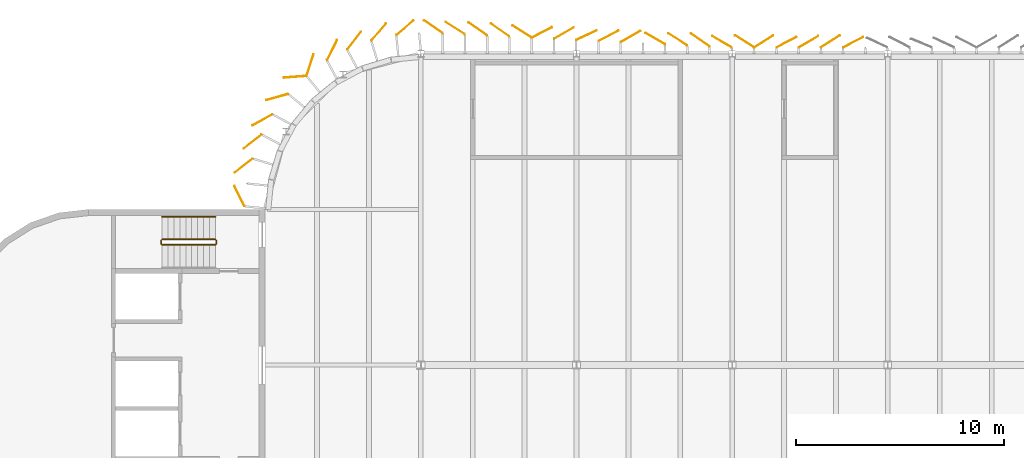
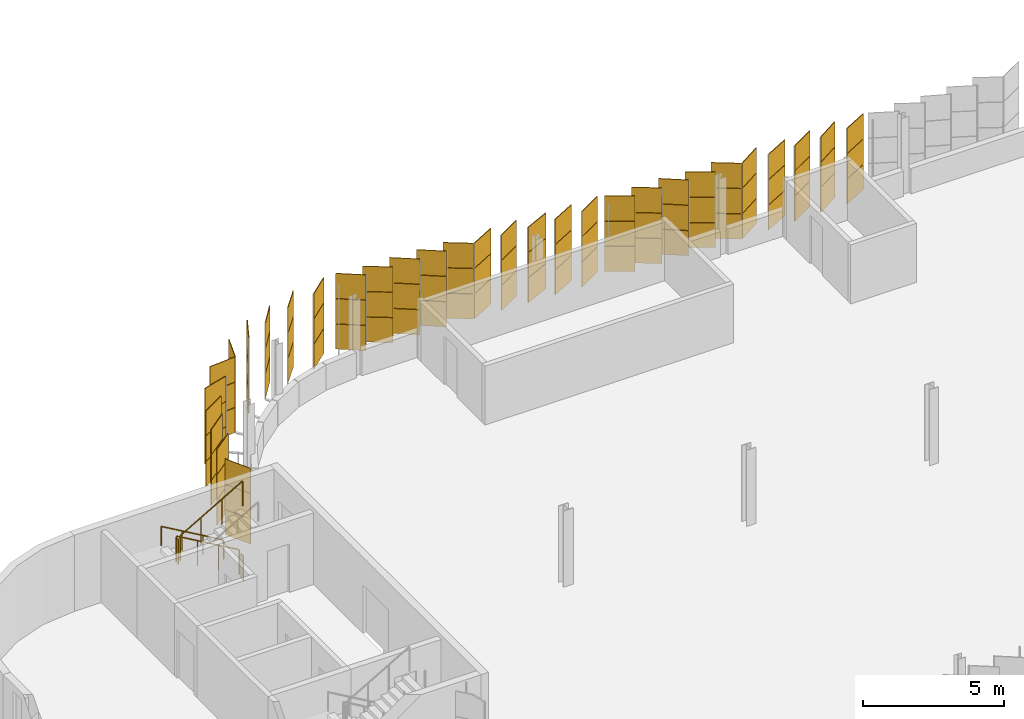
# One storey, part 196 of 199: 93 coverings, 5 railings.
"""IFC4 building model written with IfcOpenShell, lengths in metres."""

from ifc_helpers import new_model, si_unit, direction, frame, origin, origin_2d, place, context, subcontext, project, spatial, rectangle, circle, extrude, material, layer, layer_set, type_object, element, save


model = new_model("IFC4")

# Units and contexts
model_context = context("Model", 3, precision=1e-05, world=origin(), true_north=direction((0.0, 1.0)))
body_context = subcontext(model_context, "Body", "Model", "MODEL_VIEW")
ifc_project = project(units=[si_unit("LENGTHUNIT", "METRE"), si_unit("AREAUNIT", "SQUARE_METRE"), si_unit("VOLUMEUNIT", "CUBIC_METRE"), si_unit("PLANEANGLEUNIT", "RADIAN"), si_unit("MASSUNIT", "GRAM", prefix="KILO")], contexts=[model_context])

# Site, building, storey
site_placement = place(None, origin())
site = spatial("IfcSite", under=ifc_project, at=site_placement, CompositionType="ELEMENT")
building_placement = place(site_placement, origin())
building = spatial("IfcBuilding", under=site, at=building_placement, Name="Parallax Yard Mobility Hub", CompositionType="ELEMENT")
storey_placement = place(building_placement, frame((0.0, 0.0, 9.89990234375)))
storey = spatial("IfcBuildingStorey", under=building, at=storey_placement, Name="L03", CompositionType="ELEMENT", Elevation=9.89990234375)

# Coverings
ifc_material_1 = material(Name="Aluminium panel, champagne finish", Category="aluminium")
ifc_layer_1 = layer(ifc_material_1, 0.030029296875)
ifc_layer_set_1 = layer_set([ifc_layer_1], Name="Skin panel 25 degree turn, champagne finish")
covering_type_1 = type_object("IfcCoveringType", Name="Skin panel 25 degree turn, champagne finish", PredefinedType="CLADDING", material=ifc_layer_set_1)
covering_placement = place(storey_placement, frame((37.989990234375, 143.397705078125, 0.02001953125), z_axis=(0.0, 0.0, 1.0), x_axis=(0.906307787037, 0.422618261741, 0.0)))
element("IfcCovering", 1, at=covering_placement, inside=storey, type_object=covering_type_1, Name="Skin panel 25 bay 68.7 row 1 level L03", ObjectType="SCREEN", PredefinedType="CLADDING", context=body_context, shape_type="SweptSolid", body=[
    extrude(rectangle(XDim=1.080078125, YDim=0.030029296875, at=origin_2d()), origin(), (0.0, 0.0, 1.0), 1.080078125),
])
ifc_material_2 = material(Name="Aluminium panel, silver anodised", Category="aluminium")
ifc_layer_2 = layer(ifc_material_2, 0.030029296875)
ifc_layer_set_2 = layer_set([ifc_layer_2], Name="Skin panel 25 degree turn, silver anodised")
covering_type_2 = type_object("IfcCoveringType", Name="Skin panel 25 degree turn, silver anodised", PredefinedType="CLADDING", material=ifc_layer_set_2)
for number, where, z_axis, x_axis, name in (
    (2, (37.989990234375, 143.397705078125, 1.1201171875), (0.0, 0.0, 1.0), (0.906307787037, 0.422618261741, 0.0), "Skin panel 25 bay 68.7 row 2 level L03"),
    (3, (37.989990234375, 143.397705078125, 2.219970703125), (0.0, 0.0, 1.0), (0.906307787037, 0.422618261741, 0.0), "Skin panel 25 bay 68.7 row 3 level L03"),
):
    element("IfcCovering", number, at=place(storey_placement, frame(where, z_axis=z_axis, x_axis=x_axis)), inside=storey, type_object=covering_type_2, Name=name, ObjectType="SCREEN", PredefinedType="CLADDING", context=body_context, shape_type="SweptSolid", body=[
        extrude(rectangle(XDim=1.080078125, YDim=0.030029296875, at=origin_2d()), origin(), (0.0, 0.0, 1.0), 1.080078125),
    ])
ifc_layer_3 = layer(ifc_material_1, 0.030029296875)
ifc_layer_set_3 = layer_set([ifc_layer_3], Name="Skin panel 27.5 degree turn, champagne finish")
covering_type_3 = type_object("IfcCoveringType", Name="Skin panel 27.5 degree turn, champagne finish", PredefinedType="CLADDING", material=ifc_layer_set_3)
for number, where, z_axis, x_axis, name in (
    (4, (50.837890625, 143.056884765625, 0.02001953125), (0.0, 0.0, 1.0), (0.887010833178, 0.461748613235, 0.0), "Skin panel 27.5 bay 67.2 row 1 level L03"),
    (5, (47.623291015625, 143.056884765625, 0.02001953125), (0.0, 0.0, 1.0), (0.887010833178, 0.461748613235, 0.0), "Skin panel 27.5 bay 67.5 row 1 level L03"),
    (6, (39.05078125, 143.36572265625, 0.02001953125), (0.0, 0.0, 1.0), (0.887010833178, 0.461748613235, 0.0), "Skin panel 27.5 bay 68.6 row 1 level L03"),
    (7, (35.836181640625, 143.526611328125, 0.02001953125), (0.0, 0.0, 1.0), (0.887010833178, 0.461748613235, 0.0), "Skin panel 27.5 bay 69.2 row 1 level L03"),
):
    element("IfcCovering", number, at=place(storey_placement, frame(where, z_axis=z_axis, x_axis=x_axis)), inside=storey, type_object=covering_type_3, Name=name, ObjectType="SCREEN", PredefinedType="CLADDING", context=body_context, shape_type="SweptSolid", body=[
        extrude(rectangle(XDim=1.080078125, YDim=0.030029296875, at=origin_2d()), origin(), (0.0, 0.0, 1.0), 1.080078125),
    ])
ifc_layer_4 = layer(ifc_material_2, 0.030029296875)
ifc_layer_set_4 = layer_set([ifc_layer_4], Name="Skin panel 27.5 degree turn, silver anodised")
covering_type_4 = type_object("IfcCoveringType", Name="Skin panel 27.5 degree turn, silver anodised", PredefinedType="CLADDING", material=ifc_layer_set_4)
for number, where, z_axis, x_axis, name in (
    (8, (50.837890625, 143.056884765625, 1.1201171875), (0.0, 0.0, 1.0), (0.887010833178, 0.461748613235, 0.0), "Skin panel 27.5 bay 67.2 row 2 level L03"),
    (9, (50.837890625, 143.056884765625, 2.219970703125), (0.0, 0.0, 1.0), (0.887010833178, 0.461748613235, 0.0), "Skin panel 27.5 bay 67.2 row 3 level L03"),
    (10, (47.623291015625, 143.056884765625, 1.1201171875), (0.0, 0.0, 1.0), (0.887010833178, 0.461748613235, 0.0), "Skin panel 27.5 bay 67.5 row 2 level L03"),
    (11, (47.623291015625, 143.056884765625, 2.219970703125), (0.0, 0.0, 1.0), (0.887010833178, 0.461748613235, 0.0), "Skin panel 27.5 bay 67.5 row 3 level L03"),
    (12, (39.05078125, 143.36572265625, 1.1201171875), (0.0, 0.0, 1.0), (0.887010833178, 0.461748613235, 0.0), "Skin panel 27.5 bay 68.6 row 2 level L03"),
    (13, (39.05078125, 143.36572265625, 2.219970703125), (0.0, 0.0, 1.0), (0.887010833178, 0.461748613235, 0.0), "Skin panel 27.5 bay 68.6 row 3 level L03"),
    (14, (35.836181640625, 143.526611328125, 1.1201171875), (0.0, 0.0, 1.0), (0.887010833178, 0.461748613235, 0.0), "Skin panel 27.5 bay 69.2 row 2 level L03"),
    (15, (35.836181640625, 143.526611328125, 2.219970703125), (0.0, 0.0, 1.0), (0.887010833178, 0.461748613235, 0.0), "Skin panel 27.5 bay 69.2 row 3 level L03"),
):
    element("IfcCovering", number, at=place(storey_placement, frame(where, z_axis=z_axis, x_axis=x_axis)), inside=storey, type_object=covering_type_4, Name=name, ObjectType="SCREEN", PredefinedType="CLADDING", context=body_context, shape_type="SweptSolid", body=[
        extrude(rectangle(XDim=1.080078125, YDim=0.030029296875, at=origin_2d()), origin(), (0.0, 0.0, 1.0), 1.080078125),
    ])
ifc_layer_5 = layer(ifc_material_1, 0.030029296875)
ifc_layer_set_5 = layer_set([ifc_layer_5], Name="Skin panel 30 degree turn, champagne finish")
covering_type_5 = type_object("IfcCoveringType", Name="Skin panel 30 degree turn, champagne finish", PredefinedType="CLADDING", material=ifc_layer_set_5)
for number, where, z_axis, x_axis, name in (
    (16, (48.68310546875, 143.078125, 0.02001953125), (0.0, 0.0, 1.0), (0.866025403784, 0.5, 0.0), "Skin panel 30 bay 67.4 row 1 level L03"),
    (17, (44.5048828125, 143.078125, 0.02001953125), (0.0, 0.0, 1.0), (-0.866025403784, 0.5, 0.0), "Skin panel 30 bay 68.1 row 1 level L03"),
    (18, (41.290283203125, 143.226318359375, 0.02001953125), (0.0, 0.0, 1.0), (-0.866025403784, 0.5, 0.0), "Skin panel 30 bay 68.4 row 1 level L03"),
    (19, (40.11083984375, 143.33349609375, 0.02001953125), (0.0, 0.0, 1.0), (0.866025403784, 0.5, 0.0), "Skin panel 30 bay 68.5 row 1 level L03"),
    (20, (36.89599609375, 143.494384765625, 0.02001953125), (0.0, 0.0, 1.0), (0.866025403784, 0.5, 0.0), "Skin panel 30 bay 69.1 row 1 level L03"),
):
    element("IfcCovering", number, at=place(storey_placement, frame(where, z_axis=z_axis, x_axis=x_axis)), inside=storey, type_object=covering_type_5, Name=name, ObjectType="SCREEN", PredefinedType="CLADDING", context=body_context, shape_type="SweptSolid", body=[
        extrude(rectangle(XDim=1.080078125, YDim=0.030029296875, at=origin_2d()), origin(), (0.0, 0.0, 1.0), 1.080078125),
    ])
ifc_layer_6 = layer(ifc_material_2, 0.030029296875)
ifc_layer_set_6 = layer_set([ifc_layer_6], Name="Skin panel 30 degree turn, silver anodised")
covering_type_6 = type_object("IfcCoveringType", Name="Skin panel 30 degree turn, silver anodised", PredefinedType="CLADDING", material=ifc_layer_set_6)
for number, where, z_axis, x_axis, name in (
    (21, (48.68310546875, 143.078125, 1.1201171875), (0.0, 0.0, 1.0), (0.866025403784, 0.5, 0.0), "Skin panel 30 bay 67.4 row 2 level L03"),
    (22, (48.68310546875, 143.078125, 2.219970703125), (0.0, 0.0, 1.0), (0.866025403784, 0.5, 0.0), "Skin panel 30 bay 67.4 row 3 level L03"),
    (23, (44.5048828125, 143.078125, 1.1201171875), (0.0, 0.0, 1.0), (-0.866025403784, 0.5, 0.0), "Skin panel 30 bay 68.1 row 2 level L03"),
    (24, (44.5048828125, 143.078125, 2.219970703125), (0.0, 0.0, 1.0), (-0.866025403784, 0.5, 0.0), "Skin panel 30 bay 68.1 row 3 level L03"),
    (25, (41.290283203125, 143.226318359375, 1.1201171875), (0.0, 0.0, 1.0), (-0.866025403784, 0.5, 0.0), "Skin panel 30 bay 68.4 row 2 level L03"),
    (26, (41.290283203125, 143.226318359375, 2.219970703125), (0.0, 0.0, 1.0), (-0.866025403784, 0.5, 0.0), "Skin panel 30 bay 68.4 row 3 level L03"),
    (27, (40.11083984375, 143.33349609375, 1.1201171875), (0.0, 0.0, 1.0), (0.866025403784, 0.5, 0.0), "Skin panel 30 bay 68.5 row 2 level L03"),
    (28, (40.11083984375, 143.33349609375, 2.219970703125), (0.0, 0.0, 1.0), (0.866025403784, 0.5, 0.0), "Skin panel 30 bay 68.5 row 3 level L03"),
    (29, (36.89599609375, 143.494384765625, 1.1201171875), (0.0, 0.0, 1.0), (0.866025403784, 0.5, 0.0), "Skin panel 30 bay 69.1 row 2 level L03"),
    (30, (36.89599609375, 143.494384765625, 2.219970703125), (0.0, 0.0, 1.0), (0.866025403784, 0.5, 0.0), "Skin panel 30 bay 69.1 row 3 level L03"),
):
    element("IfcCovering", number, at=place(storey_placement, frame(where, z_axis=z_axis, x_axis=x_axis)), inside=storey, type_object=covering_type_6, Name=name, ObjectType="SCREEN", PredefinedType="CLADDING", context=body_context, shape_type="SweptSolid", body=[
        extrude(rectangle(XDim=1.080078125, YDim=0.030029296875, at=origin_2d()), origin(), (0.0, 0.0, 1.0), 1.080078125),
    ])
ifc_layer_7 = layer(ifc_material_1, 0.030029296875)
ifc_layer_set_7 = layer_set([ifc_layer_7], Name="Skin panel 32.5 degree turn, champagne finish")
covering_type_7 = type_object("IfcCoveringType", Name="Skin panel 32.5 degree turn, champagne finish", PredefinedType="CLADDING", material=ifc_layer_set_7)
for number, where, z_axis, x_axis, name in (
    (31, (49.7421875, 143.098876953125, 0.02001953125), (0.0, 0.0, 1.0), (0.843391445813, 0.537299608347, 0.0), "Skin panel 32.5 bay 67.3 row 1 level L03"),
    (32, (46.527587890625, 143.098876953125, 0.02001953125), (0.0, 0.0, 1.0), (0.843391445813, 0.537299608347, 0.0), "Skin panel 32.5 bay 67.6 row 1 level L03"),
    (33, (45.589111328125, 143.098876953125, 0.02001953125), (0.0, 0.0, 1.0), (-0.843391445813, 0.537299608347, 0.0), "Skin panel 32.5 bay 67.7 row 1 level L03"),
    (34, (42.37451171875, 143.193603515625, 0.02001953125), (0.0, 0.0, 1.0), (-0.843391445813, 0.537299608347, 0.0), "Skin panel 32.5 bay 68.3 row 1 level L03"),
    (35, (34.87353515625, 143.568603515625, 0.02001953125), (0.0, 0.0, 1.0), (-0.843391445813, 0.537299608347, 0.0), "Skin panel 32.5 bay 69.3 row 1 level L03"),
    (36, (31.658935546875, 143.729248046875, 0.02001953125), (0.0, 0.0, 1.0), (-0.843391445813, 0.537299608347, 0.0), "Skin panel 32.5 bay 69.6 row 1 level L03"),
    (37, (27.973876953125, 143.54248046875, 0.02001953125), (0.0, 0.0, 1.0), (0.651105449912, 0.758987281247, 0.0), "Skin panel 32.5 bay 70.2 row 1 level L03"),
    (38, (24.6640625, 141.956787109375, 0.02001953125), (0.0, 0.0, 1.0), (0.311091140771, 0.950380082985, 0.0), "Skin panel 32.5 bay 70.5 row 1 level L03"),
    (39, (22.366943359375, 139.30859375, 0.02001953125), (0.0, 0.0, 1.0), (-0.87142792535, -0.490523568159, 0.0), "Skin panel 32.5 bay 70.8 row 1 level L03"),
    (40, (21.25830078125, 135.644287109375, 0.02001953125), (0.0, 0.0, 1.0), (-0.452045546177, 0.891994856589, 0.0), "Skin panel 32.5 bay 70.11 row 1 level L03"),
):
    element("IfcCovering", number, at=place(storey_placement, frame(where, z_axis=z_axis, x_axis=x_axis)), inside=storey, type_object=covering_type_7, Name=name, ObjectType="SCREEN", PredefinedType="CLADDING", context=body_context, shape_type="SweptSolid", body=[
        extrude(rectangle(XDim=1.080078125, YDim=0.030029296875, at=origin_2d()), origin(), (0.0, 0.0, 1.0), 1.080078125),
    ])
ifc_layer_8 = layer(ifc_material_2, 0.030029296875)
ifc_layer_set_8 = layer_set([ifc_layer_8], Name="Skin panel 32.5 degree turn, silver anodised")
covering_type_8 = type_object("IfcCoveringType", Name="Skin panel 32.5 degree turn, silver anodised", PredefinedType="CLADDING", material=ifc_layer_set_8)
for number, where, z_axis, x_axis, name in (
    (41, (49.7421875, 143.098876953125, 1.1201171875), (0.0, 0.0, 1.0), (0.843391445813, 0.537299608347, 0.0), "Skin panel 32.5 bay 67.3 row 2 level L03"),
    (42, (49.7421875, 143.098876953125, 2.219970703125), (0.0, 0.0, 1.0), (0.843391445813, 0.537299608347, 0.0), "Skin panel 32.5 bay 67.3 row 3 level L03"),
    (43, (46.527587890625, 143.098876953125, 1.1201171875), (0.0, 0.0, 1.0), (0.843391445813, 0.537299608347, 0.0), "Skin panel 32.5 bay 67.6 row 2 level L03"),
    (44, (46.527587890625, 143.098876953125, 2.219970703125), (0.0, 0.0, 1.0), (0.843391445813, 0.537299608347, 0.0), "Skin panel 32.5 bay 67.6 row 3 level L03"),
    (45, (45.589111328125, 143.098876953125, 1.1201171875), (0.0, 0.0, 1.0), (-0.843391445813, 0.537299608347, 0.0), "Skin panel 32.5 bay 67.7 row 2 level L03"),
    (46, (45.589111328125, 143.098876953125, 2.219970703125), (0.0, 0.0, 1.0), (-0.843391445813, 0.537299608347, 0.0), "Skin panel 32.5 bay 67.7 row 3 level L03"),
    (47, (42.37451171875, 143.193603515625, 1.1201171875), (0.0, 0.0, 1.0), (-0.843391445813, 0.537299608347, 0.0), "Skin panel 32.5 bay 68.3 row 2 level L03"),
    (48, (42.37451171875, 143.193603515625, 2.219970703125), (0.0, 0.0, 1.0), (-0.843391445813, 0.537299608347, 0.0), "Skin panel 32.5 bay 68.3 row 3 level L03"),
    (49, (34.87353515625, 143.568603515625, 1.1201171875), (0.0, 0.0, 1.0), (-0.843391445813, 0.537299608347, 0.0), "Skin panel 32.5 bay 69.3 row 2 level L03"),
    (50, (34.87353515625, 143.568603515625, 2.219970703125), (0.0, 0.0, 1.0), (-0.843391445813, 0.537299608347, 0.0), "Skin panel 32.5 bay 69.3 row 3 level L03"),
    (51, (31.658935546875, 143.729248046875, 1.1201171875), (0.0, 0.0, 1.0), (-0.843391445813, 0.537299608347, 0.0), "Skin panel 32.5 bay 69.6 row 2 level L03"),
    (52, (31.658935546875, 143.729248046875, 2.219970703125), (0.0, 0.0, 1.0), (-0.843391445813, 0.537299608347, 0.0), "Skin panel 32.5 bay 69.6 row 3 level L03"),
    (53, (27.973876953125, 143.54248046875, 1.1201171875), (0.0, 0.0, 1.0), (0.651105449912, 0.758987281247, 0.0), "Skin panel 32.5 bay 70.2 row 2 level L03"),
    (54, (27.973876953125, 143.54248046875, 2.219970703125), (0.0, 0.0, 1.0), (0.651105449912, 0.758987281247, 0.0), "Skin panel 32.5 bay 70.2 row 3 level L03"),
    (55, (24.6640625, 141.956787109375, 1.1201171875), (0.0, 0.0, 1.0), (0.311091140771, 0.950380082985, 0.0), "Skin panel 32.5 bay 70.5 row 2 level L03"),
    (56, (24.6640625, 141.956787109375, 2.219970703125), (0.0, 0.0, 1.0), (0.311091140771, 0.950380082985, 0.0), "Skin panel 32.5 bay 70.5 row 3 level L03"),
    (57, (22.366943359375, 139.30859375, 1.1201171875), (0.0, 0.0, 1.0), (-0.87142792535, -0.490523568159, 0.0), "Skin panel 32.5 bay 70.8 row 2 level L03"),
    (58, (22.366943359375, 139.30859375, 2.219970703125), (0.0, 0.0, 1.0), (-0.87142792535, -0.490523568159, 0.0), "Skin panel 32.5 bay 70.8 row 3 level L03"),
    (59, (21.25830078125, 135.644287109375, 1.1201171875), (0.0, 0.0, 1.0), (-0.452045546177, 0.891994856589, 0.0), "Skin panel 32.5 bay 70.11 row 2 level L03"),
    (60, (21.25830078125, 135.644287109375, 2.219970703125), (0.0, 0.0, 1.0), (-0.452045546177, 0.891994856589, 0.0), "Skin panel 32.5 bay 70.11 row 3 level L03"),
):
    element("IfcCovering", number, at=place(storey_placement, frame(where, z_axis=z_axis, x_axis=x_axis)), inside=storey, type_object=covering_type_8, Name=name, ObjectType="SCREEN", PredefinedType="CLADDING", context=body_context, shape_type="SweptSolid", body=[
        extrude(rectangle(XDim=1.080078125, YDim=0.030029296875, at=origin_2d()), origin(), (0.0, 0.0, 1.0), 1.080078125),
    ])
ifc_layer_9 = layer(ifc_material_1, 0.030029296875)
ifc_layer_set_9 = layer_set([ifc_layer_9], Name="Skin panel 35 degree turn, champagne finish")
covering_type_9 = type_object("IfcCoveringType", Name="Skin panel 35 degree turn, champagne finish", PredefinedType="CLADDING", material=ifc_layer_set_9)
for number, where, z_axis, x_axis, name in (
    (61, (43.45947265625, 143.16015625, 0.02001953125), (0.0, 0.0, 1.0), (-0.819152044289, 0.573576436351, 0.0), "Skin panel 35 bay 68.2 row 1 level L03"),
    (62, (33.8154296875, 143.642333984375, 0.02001953125), (0.0, 0.0, 1.0), (-0.819152044289, 0.573576436351, 0.0), "Skin panel 35 bay 69.4 row 1 level L03"),
    (63, (32.743896484375, 143.69580078125, 0.02001953125), (0.0, 0.0, 1.0), (-0.819152044289, 0.573576436351, 0.0), "Skin panel 35 bay 69.5 row 1 level L03"),
    (64, (30.600830078125, 143.802978515625, 0.02001953125), (0.0, 0.0, 1.0), (-0.819152044289, 0.573576436351, 0.0), "Skin panel 35 bay 69.7 row 1 level L03"),
    (65, (29.240234375, 143.750732421875, 0.02001953125), (0.0, 0.0, 1.0), (0.758987281247, 0.651105449912, 0.0), "Skin panel 35 bay 70.1 row 1 level L03"),
    (66, (26.792236328125, 143.13671875, 0.02001953125), (0.0, 0.0, 1.0), (0.617379181571, 0.786665714369, 0.0), "Skin panel 35 bay 70.3 row 1 level L03"),
    (67, (25.72705078125, 142.675048828125, 0.02001953125), (0.0, 0.0, 1.0), (0.452045546177, 0.891994856589, 0.0), "Skin panel 35 bay 70.4 row 1 level L03"),
    (68, (23.936279296875, 141.3857421875, 0.02001953125), (0.0, 0.0, 1.0), (-0.997086132304, -0.076283974504, 0.0), "Skin panel 35 bay 70.6 row 1 level L03"),
    (69, (23.0771484375, 140.4091796875, 0.02001953125), (0.0, 0.0, 1.0), (-0.963045136708, -0.269340053953, 0.0), "Skin panel 35 bay 70.7 row 1 level L03"),
    (70, (21.893798828125, 138.2646484375, 0.02001953125), (0.0, 0.0, 1.0), (-0.786665714369, -0.617379181571, 0.0), "Skin panel 35 bay 70.9 row 1 level L03"),
    (71, (21.4609375, 137.106689453125, 0.02001953125), (0.0, 0.0, 1.0), (-0.786665714369, -0.617379181571, 0.0), "Skin panel 35 bay 70.10 row 1 level L03"),
):
    element("IfcCovering", number, at=place(storey_placement, frame(where, z_axis=z_axis, x_axis=x_axis)), inside=storey, type_object=covering_type_9, Name=name, ObjectType="SCREEN", PredefinedType="CLADDING", context=body_context, shape_type="SweptSolid", body=[
        extrude(rectangle(XDim=1.080078125, YDim=0.030029296875, at=origin_2d()), origin(), (0.0, 0.0, 1.0), 1.080078125),
    ])
ifc_layer_10 = layer(ifc_material_2, 0.030029296875)
ifc_layer_set_10 = layer_set([ifc_layer_10], Name="Skin panel 35 degree turn, silver anodised")
covering_type_10 = type_object("IfcCoveringType", Name="Skin panel 35 degree turn, silver anodised", PredefinedType="CLADDING", material=ifc_layer_set_10)
for number, where, z_axis, x_axis, name in (
    (72, (43.45947265625, 143.16015625, 1.1201171875), (0.0, 0.0, 1.0), (-0.819152044289, 0.573576436351, 0.0), "Skin panel 35 bay 68.2 row 2 level L03"),
    (73, (43.45947265625, 143.16015625, 2.219970703125), (0.0, 0.0, 1.0), (-0.819152044289, 0.573576436351, 0.0), "Skin panel 35 bay 68.2 row 3 level L03"),
    (74, (33.8154296875, 143.642333984375, 1.1201171875), (0.0, 0.0, 1.0), (-0.819152044289, 0.573576436351, 0.0), "Skin panel 35 bay 69.4 row 2 level L03"),
    (75, (33.8154296875, 143.642333984375, 2.219970703125), (0.0, 0.0, 1.0), (-0.819152044289, 0.573576436351, 0.0), "Skin panel 35 bay 69.4 row 3 level L03"),
    (76, (32.743896484375, 143.69580078125, 1.1201171875), (0.0, 0.0, 1.0), (-0.819152044289, 0.573576436351, 0.0), "Skin panel 35 bay 69.5 row 2 level L03"),
    (77, (32.743896484375, 143.69580078125, 2.219970703125), (0.0, 0.0, 1.0), (-0.819152044289, 0.573576436351, 0.0), "Skin panel 35 bay 69.5 row 3 level L03"),
    (78, (30.600830078125, 143.802978515625, 1.1201171875), (0.0, 0.0, 1.0), (-0.819152044289, 0.573576436351, 0.0), "Skin panel 35 bay 69.7 row 2 level L03"),
    (79, (30.600830078125, 143.802978515625, 2.219970703125), (0.0, 0.0, 1.0), (-0.819152044289, 0.573576436351, 0.0), "Skin panel 35 bay 69.7 row 3 level L03"),
    (80, (29.240234375, 143.750732421875, 1.1201171875), (0.0, 0.0, 1.0), (0.758987281247, 0.651105449912, 0.0), "Skin panel 35 bay 70.1 row 2 level L03"),
    (81, (29.240234375, 143.750732421875, 2.219970703125), (0.0, 0.0, 1.0), (0.758987281247, 0.651105449912, 0.0), "Skin panel 35 bay 70.1 row 3 level L03"),
    (82, (26.792236328125, 143.13671875, 1.1201171875), (0.0, 0.0, 1.0), (0.617379181571, 0.786665714369, 0.0), "Skin panel 35 bay 70.3 row 2 level L03"),
    (83, (26.792236328125, 143.13671875, 2.219970703125), (0.0, 0.0, 1.0), (0.617379181571, 0.786665714369, 0.0), "Skin panel 35 bay 70.3 row 3 level L03"),
    (84, (25.72705078125, 142.675048828125, 1.1201171875), (0.0, 0.0, 1.0), (0.452045546177, 0.891994856589, 0.0), "Skin panel 35 bay 70.4 row 2 level L03"),
    (85, (25.72705078125, 142.675048828125, 2.219970703125), (0.0, 0.0, 1.0), (0.452045546177, 0.891994856589, 0.0), "Skin panel 35 bay 70.4 row 3 level L03"),
    (86, (23.936279296875, 141.3857421875, 1.1201171875), (0.0, 0.0, 1.0), (-0.997086132304, -0.076283974504, 0.0), "Skin panel 35 bay 70.6 row 2 level L03"),
    (87, (23.936279296875, 141.3857421875, 2.219970703125), (0.0, 0.0, 1.0), (-0.997086132304, -0.076283974504, 0.0), "Skin panel 35 bay 70.6 row 3 level L03"),
    (88, (23.0771484375, 140.4091796875, 1.1201171875), (0.0, 0.0, 1.0), (-0.963045136708, -0.269340053953, 0.0), "Skin panel 35 bay 70.7 row 2 level L03"),
    (89, (23.0771484375, 140.4091796875, 2.219970703125), (0.0, 0.0, 1.0), (-0.963045136708, -0.269340053953, 0.0), "Skin panel 35 bay 70.7 row 3 level L03"),
    (90, (21.893798828125, 138.2646484375, 1.1201171875), (0.0, 0.0, 1.0), (-0.786665714369, -0.617379181571, 0.0), "Skin panel 35 bay 70.9 row 2 level L03"),
    (91, (21.893798828125, 138.2646484375, 2.219970703125), (0.0, 0.0, 1.0), (-0.786665714369, -0.617379181571, 0.0), "Skin panel 35 bay 70.9 row 3 level L03"),
    (92, (21.4609375, 137.106689453125, 1.1201171875), (0.0, 0.0, 1.0), (-0.786665714369, -0.617379181571, 0.0), "Skin panel 35 bay 70.10 row 2 level L03"),
    (93, (21.4609375, 137.106689453125, 2.219970703125), (0.0, 0.0, 1.0), (-0.786665714369, -0.617379181571, 0.0), "Skin panel 35 bay 70.10 row 3 level L03"),
):
    element("IfcCovering", number, at=place(storey_placement, frame(where, z_axis=z_axis, x_axis=x_axis)), inside=storey, type_object=covering_type_10, Name=name, ObjectType="SCREEN", PredefinedType="CLADDING", context=body_context, shape_type="SweptSolid", body=[
        extrude(rectangle(XDim=1.080078125, YDim=0.030029296875, at=origin_2d()), origin(), (0.0, 0.0, 1.0), 1.080078125),
    ])

# Railings
ifc_material_3 = material(Name="Steel ASTM A36", Category="steel")
railing_type_1 = type_object("IfcRailingType", Name="Stair guard 1100", PredefinedType="GUARDRAIL", material=ifc_material_3)
railing_1_placement = place(storey_placement, frame((20.10009765625, 133.550048828125, 0.1650390625)))
element("IfcRailing", 94, at=railing_1_placement, inside=storey, type_object=railing_type_1, Name="L03 ST2 stair guard 1", PredefinedType="GUARDRAIL", context=body_context, shape_type="SweptSolid", body=[
    extrude(circle(Radius=0.02392578125, at=origin_2d()), frame((0.0, 0.0, 1.076171875), z_axis=(-0.865426285481, 0.0, 0.501036270542), x_axis=(0.0, -1.0, 0.0)), (0.0, 0.0, 1.0), 2.964111328125),
    extrude(circle(Radius=0.02099609375, at=origin_2d()), origin(), (0.0, 0.0, 1.0), 1.052001953125),
    extrude(circle(Radius=0.02099609375, at=origin_2d()), frame((-0.85498046875, 0.0, 0.4951171875)), (0.0, 0.0, 1.0), 1.052001953125),
    extrude(circle(Radius=0.02099609375, at=origin_2d()), frame((-1.710205078125, 0.0, 0.989990234375)), (0.0, 0.0, 1.0), 1.052001953125),
    extrude(circle(Radius=0.02099609375, at=origin_2d()), frame((-2.565185546875, 0.0, 1.485107421875)), (0.0, 0.0, 1.0), 1.052001953125),
])
railing_2_placement = place(storey_placement, frame((17.485107421875, 133.5, 1.650146484375)))
element("IfcRailing", 95, at=railing_2_placement, inside=storey, type_object=railing_type_1, Name="L03 ST2 stair guard 2", PredefinedType="GUARDRAIL", context=body_context, shape_type="SweptSolid", body=[
    extrude(circle(Radius=0.02392578125, at=origin_2d()), frame((0.0, 0.0, 1.076171875), z_axis=(0.0, -1.0, 0.0), x_axis=(1.0, 0.0, 0.0)), (0.0, 0.0, 1.0), 0.14990234375),
    extrude(circle(Radius=0.02099609375, at=origin_2d()), origin(), (0.0, 0.0, 1.0), 1.052001953125),
    extrude(circle(Radius=0.02099609375, at=origin_2d()), frame((0.0, -0.14990234375, 0.0)), (0.0, 0.0, 1.0), 1.052001953125),
])
railing_3_placement = place(storey_placement, frame((17.534912109375, 133.300048828125, 1.815185546875)))
element("IfcRailing", 96, at=railing_3_placement, inside=storey, type_object=railing_type_1, Name="L03 ST2 stair guard 3", PredefinedType="GUARDRAIL", context=body_context, shape_type="SweptSolid", body=[
    extrude(circle(Radius=0.02392578125, at=origin_2d()), frame((0.0, 0.0, 1.076171875), z_axis=(0.865461999751, 0.0, 0.500974577186), x_axis=(0.0, 1.0, 0.0)), (0.0, 0.0, 1.0), 2.9638671875),
    extrude(circle(Radius=0.02099609375, at=origin_2d()), origin(), (0.0, 0.0, 1.0), 1.052001953125),
    extrude(circle(Radius=0.02099609375, at=origin_2d()), frame((0.85498046875, 0.0, 0.494873046875)), (0.0, 0.0, 1.0), 1.052001953125),
    extrude(circle(Radius=0.02099609375, at=origin_2d()), frame((1.710205078125, 0.0, 0.989990234375)), (0.0, 0.0, 1.0), 1.052001953125),
    extrude(circle(Radius=0.02099609375, at=origin_2d()), frame((2.565185546875, 0.0, 1.48486328125)), (0.0, 0.0, 1.0), 1.052001953125),
])
railing_4_placement = place(storey_placement, frame((20.14990234375, 133.5, 0.0)))
element("IfcRailing", 97, at=railing_4_placement, inside=storey, type_object=railing_type_1, Name="L03 ST2 stair guard 4", PredefinedType="GUARDRAIL", context=body_context, shape_type="SweptSolid", body=[
    extrude(circle(Radius=0.02392578125, at=origin_2d()), frame((0.0, 0.0, 1.076171875), z_axis=(0.0, -1.0, 0.0), x_axis=(1.0, 0.0, 0.0)), (0.0, 0.0, 1.0), 0.14990234375),
    extrude(circle(Radius=0.02099609375, at=origin_2d()), origin(), (0.0, 0.0, 1.0), 1.052001953125),
    extrude(circle(Radius=0.02099609375, at=origin_2d()), frame((0.0, -0.14990234375, 0.0)), (0.0, 0.0, 1.0), 1.052001953125),
])
railing_type_2 = type_object("IfcRailingType", Name="Stair handrail", PredefinedType="HANDRAIL", material=ifc_material_3)
railing_5_placement = place(storey_placement, frame((20.10009765625, 134.64990234375, 0.1650390625)))
element("IfcRailing", 98, at=railing_5_placement, inside=storey, type_object=railing_type_2, Name="L03 ST2 stair handrail 1", PredefinedType="HANDRAIL", context=body_context, shape_type="SweptSolid", body=[
    extrude(circle(Radius=0.02392578125, at=origin_2d()), frame((0.0, 0.0, 0.8310546875), z_axis=(-0.865426285481, 0.0, 0.501036270542), x_axis=(0.0, -1.0, 0.0)), (0.0, 0.0, 1.0), 2.964111328125),
    extrude(circle(Radius=0.02099609375, at=origin_2d()), origin(), (0.0, 0.0, 1.0), 0.806884765625),
    extrude(circle(Radius=0.02099609375, at=origin_2d()), frame((-0.85498046875, 0.0, 0.4951171875)), (0.0, 0.0, 1.0), 0.806884765625),
    extrude(circle(Radius=0.02099609375, at=origin_2d()), frame((-1.710205078125, 0.0, 0.989990234375)), (0.0, 0.0, 1.0), 0.806884765625),
    extrude(circle(Radius=0.02099609375, at=origin_2d()), frame((-2.565185546875, 0.0, 1.485107421875)), (0.0, 0.0, 1.0), 0.806884765625),
])

save(model, "model.ifc")
